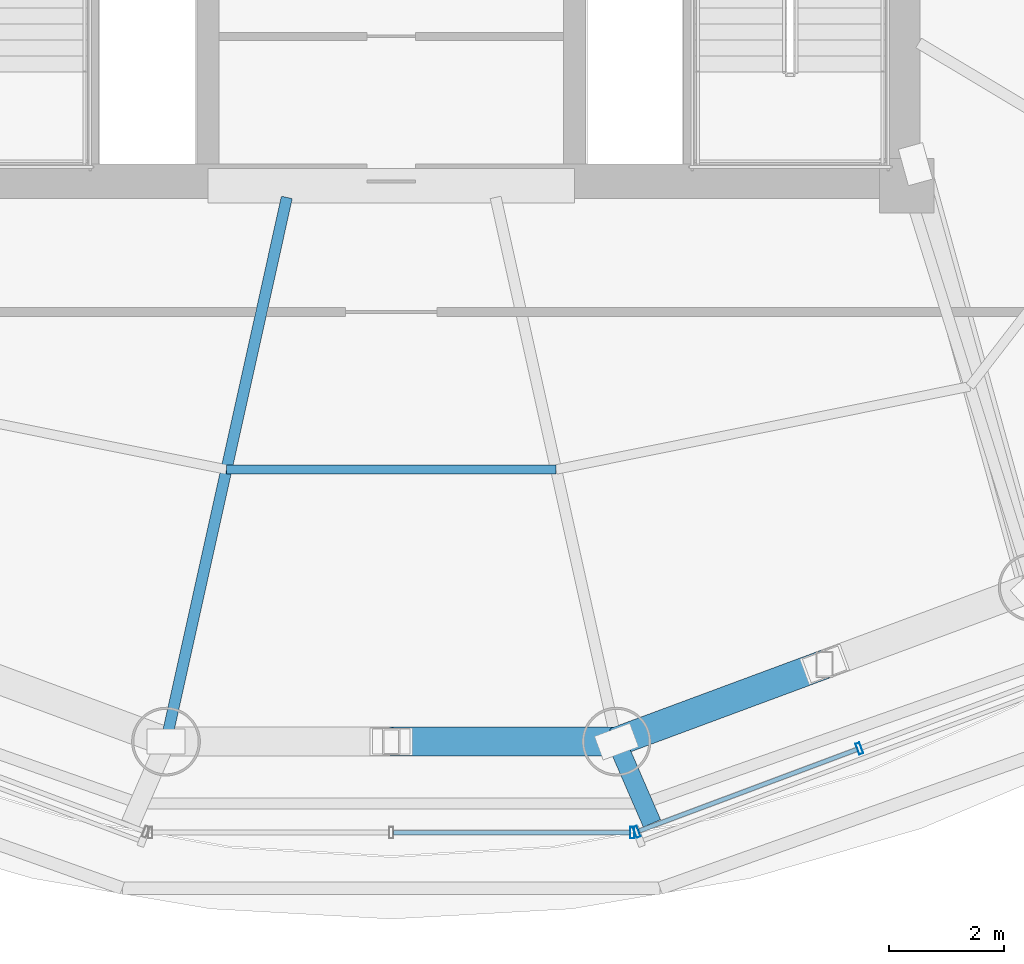
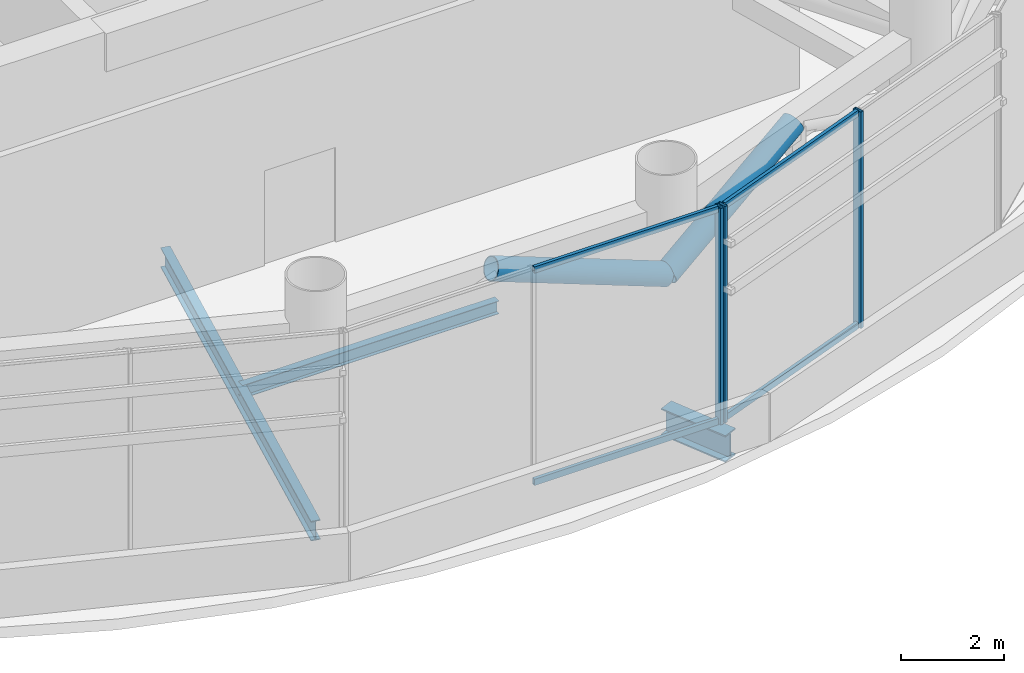
# One storey, part 5 of 25: 9 members, 3 beams, 2 elements without a shape of their own.
"""IFC4 building model written with IfcOpenShell, lengths in metres."""

from ifc_helpers import new_model, si_unit, direction, frame, origin, origin_2d, place, context, subcontext, project, spatial, hollow_rectangle, hollow_circle, i_section, extrude, source, transform, mapped, material, material_profile, profile_set, type_object, element, aggregate, save


model = new_model("IFC4")

# Units and contexts
model_context = context("Model", 3, precision=1e-05, world=origin(), true_north=direction((-0.2419218956, 0.970295726276)))
body_context = subcontext(model_context, "Body", "Model", "MODEL_VIEW")
ifc_project = project(units=[si_unit("LENGTHUNIT", "METRE"), si_unit("AREAUNIT", "SQUARE_METRE"), si_unit("VOLUMEUNIT", "CUBIC_METRE"), si_unit("PLANEANGLEUNIT", "RADIAN"), si_unit("MASSUNIT", "GRAM", prefix="KILO")], contexts=[model_context])

# Site, building, storey
site_placement = place(None, origin())
site = spatial("IfcSite", under=ifc_project, at=site_placement, CompositionType="ELEMENT")
building_placement = place(site_placement, origin())
building = spatial("IfcBuilding", under=site, at=building_placement, Name="Cobrevalo Terracotta Tower", CompositionType="ELEMENT")
storey_placement = place(building_placement, frame((0.0, 0.0, 185.800048828125)))
storey = spatial("IfcBuildingStorey", under=building, at=storey_placement, Name="L49", CompositionType="ELEMENT", Elevation=185.800048828125)

# Beams
ifc_material_1 = material(Name="Steel S355", Category="steel")
ifc_material_profile_1 = material_profile(ifc_material_1, i_section(OverallWidth=0.194091796875, OverallDepth=0.468994140625, WebThickness=0.011474609375, FlangeThickness=0.0205078125, at=origin_2d()), Name="W 460x106")
ifc_profile_set_1 = profile_set([ifc_material_profile_1], Name="Steel S355")
beam_type_1 = type_object("IfcBeamType", Name="Structural Beam W 460x106 (Steel S355)", PredefinedType="BEAM", material=ifc_profile_set_1)
beam_1_placement = place(storey_placement, frame((34.06884765625, 9.096923828125, -0.6845703125), z_axis=(0.216779011165, 0.976220702668, 0.0), x_axis=(-0.976220702668, 0.216779011165, 0.0)))
element("IfcBeam", 1, at=beam_1_placement, inside=storey, type_object=beam_type_1, Name="L49 radial floor girder 12", PredefinedType="BEAM", context=body_context, shape_type="SweptSolid", body=[
    extrude(i_section(OverallWidth=0.194091796875, OverallDepth=0.468994140625, WebThickness=0.011474609375, FlangeThickness=0.0205078125, at=origin_2d()), origin(), (0.0, 0.0, 1.0), 9.7294921875),
])
ifc_material_profile_2 = material_profile(ifc_material_1, i_section(OverallWidth=0.3291015625, OverallDepth=0.635009765625, WebThickness=0.017822265625, FlangeThickness=0.031005859375, at=origin_2d()), Name="W 610x241")
ifc_profile_set_2 = profile_set([ifc_material_profile_2], Name="Steel S355")
beam_type_2 = type_object("IfcBeamType", Name="Structural Beam W 610x241 (Steel S355)", PredefinedType="BEAM", material=ifc_profile_set_2)
beam_2_placement = place(storey_placement, frame((42.550537109375, 7.66943359375, -0.767578125), z_axis=(-0.398043294493, 0.91736663102, 0.0), x_axis=(-0.91736663102, -0.398043294493, 0.0)))
element("IfcBeam", 2, at=beam_2_placement, inside=storey, type_object=beam_type_2, Name="L49 setback step-link girder 13", PredefinedType="BEAM", context=body_context, shape_type="SweptSolid", body=[
    extrude(i_section(OverallWidth=0.3291015625, OverallDepth=0.635009765625, WebThickness=0.017822265625, FlangeThickness=0.031005859375, at=origin_2d()), origin(), (0.0, 0.0, 1.0), 1.55615234375),
])
ifc_material_profile_3 = material_profile(ifc_material_1, i_section(OverallWidth=0.1650390625, OverallDepth=0.31005859375, WebThickness=0.005859375, FlangeThickness=0.009765625, at=origin_2d()), Name="W 310x38.7")
ifc_profile_set_3 = profile_set([ifc_material_profile_3], Name="Steel S355")
beam_type_3 = type_object("IfcBeamType", Name="Structural Joist W 310x38.7 (Steel S355)", PredefinedType="JOIST", material=ifc_profile_set_3)
beam_3_placement = place(storey_placement, frame((35.12353515625, 13.845947265625, -0.60498046875), z_axis=(1.0, 0.0, 0.0), x_axis=(0.0, 1.0, 0.0)))
element("IfcBeam", 3, at=beam_3_placement, inside=storey, type_object=beam_type_3, Name="L49 circumferential secondary floor joist 12", PredefinedType="JOIST", context=body_context, shape_type="SweptSolid", body=[
    extrude(i_section(OverallWidth=0.1650390625, OverallDepth=0.31005859375, WebThickness=0.005859375, FlangeThickness=0.009765625, at=origin_2d()), origin(), (0.0, 0.0, 1.0), 5.7529296875),
])

# Members
ifc_material_profile_4 = material_profile(ifc_material_1, hollow_circle(Radius=0.25390625, WallThickness=0.02001953125, at=origin_2d()), Name="CHS 508x20")
ifc_profile_set_4 = profile_set([ifc_material_profile_4], Name="Steel S355")
member_type_1 = type_object("IfcMemberType", Name="Steel Brace CHS 508x20 (Steel S355)", PredefinedType="BRACE", material=ifc_profile_set_4)
shared_shape_1 = source(origin(), body_context, "Body", "SweptSolid", [
    extrude(hollow_circle(Radius=0.25390625, WallThickness=0.02001953125, at=origin_2d()), origin(), (0.0, 0.0, 1.0), 4.15576171875),
])
member_1_placement = place(storey_placement, frame((41.93115234375, 9.096923828125, 2.64990234375), z_axis=(0.873907532871, 0.32421992968, 0.362169934132), x_axis=(-0.347833629596, 0.937556273576, 0.0)))
element("IfcMember", 4, at=member_1_placement, inside=storey, type_object=member_type_1, Name="L49 belt truss diagonal brace 13-D1", PredefinedType="BRACE", context=body_context, shape_type="MappedRepresentation", body=[
    mapped(shared_shape_1, transform((0.0, 0.0, 0.0), scale=1.0)),
])
shared_shape_2 = source(origin(), body_context, "Body", "SweptSolid", [
    extrude(hollow_circle(Radius=0.25390625, WallThickness=0.02001953125, at=origin_2d()), origin(), (0.0, 0.0, 1.0), 4.20947265625),
])
member_2_placement = place(storey_placement, frame((41.93115234375, 9.096923828125, 2.64990234375), z_axis=(-0.933890131622, 0.0, 0.35756009573), x_axis=(0.0, -1.0, 0.0)))
element("IfcMember", 5, at=member_2_placement, inside=storey, type_object=member_type_1, Name="L49 belt truss diagonal brace 12-D2", PredefinedType="BRACE", context=body_context, shape_type="MappedRepresentation", body=[
    mapped(shared_shape_2, transform((0.0, 0.0, 0.0), scale=1.0)),
])

# Curtain wall, member
ifc_material_2 = material(Name="Anodized aluminium", Category="aluminium")
curtain_wall_type = type_object("IfcCurtainWallType", Name="Belt-truss plant acoustic weather-louvre curtain wall CW-LV", PredefinedType="NOTDEFINED", material=ifc_material_2)
curtain_wall_1_placement = place(storey_placement, origin())
curtain_wall_1 = element("IfcCurtainWall", 6, at=curtain_wall_1_placement, inside=storey, type_object=curtain_wall_type, Name="L49 curtain wall CW-LV-L49-S12", PredefinedType="NOTDEFINED")
ifc_material_profile_5 = material_profile(ifc_material_2, hollow_rectangle(XDim=0.074951171875, YDim=0.199951171875, WallThickness=0.0048828125, at=origin_2d()), Name="CWM 75x200")
ifc_profile_set_5 = profile_set([ifc_material_profile_5], Name="Anodized aluminium")
member_type_2 = type_object("IfcMemberType", Name="Lower/mid tower unitised mullion 75x200", PredefinedType="MULLION", material=ifc_profile_set_5)
shared_shape_3 = source(origin(), body_context, "Body", "SweptSolid", [
    extrude(hollow_rectangle(XDim=0.074951171875, YDim=0.199951171875, WallThickness=0.0048828125, at=origin_2d()), origin(), (0.0, 0.0, 1.0), 5.135009765625),
])
member_3_placement = place(storey_placement, frame((42.20703125, 7.508056640625, 0.0), z_axis=(0.0, 0.0, 1.0), x_axis=(1.0, 0.0, 0.0)))
member_3 = element("IfcMember", 7, at=member_3_placement, type_object=member_type_2, Name="CW-LV-L49-S12 vertical mullion 03", PredefinedType="MULLION", context=body_context, shape_type="MappedRepresentation", body=[
    mapped(shared_shape_3, transform((0.0, 0.0, 0.0), scale=1.0)),
])

# Curtain wall, members
curtain_wall_2_placement = place(storey_placement, origin())
curtain_wall_2 = element("IfcCurtainWall", 8, at=curtain_wall_2_placement, inside=storey, type_object=curtain_wall_type, Name="L49 curtain wall CW-LV-L49-S13", PredefinedType="NOTDEFINED")
member_4_placement = place(storey_placement, frame((42.28466796875, 7.52197265625, 0.0), z_axis=(0.0, 0.0, 1.0), x_axis=(0.936556004584, 0.350517974259, 0.0)))
member_4 = element("IfcMember", 9, at=member_4_placement, type_object=member_type_2, Name="CW-LV-L49-S13 vertical mullion 01", PredefinedType="MULLION", context=body_context, shape_type="MappedRepresentation", body=[
    mapped(shared_shape_3, transform((0.0, 0.0, 0.0), scale=1.0)),
])
member_5_placement = place(storey_placement, frame((46.1708984375, 8.9765625, 0.0), z_axis=(0.0, 0.0, 1.0), x_axis=(0.936556004584, 0.350517974259, 0.0)))
member_5 = element("IfcMember", 10, at=member_5_placement, type_object=member_type_2, Name="CW-LV-L49-S13 vertical mullion 02", PredefinedType="MULLION", context=body_context, shape_type="MappedRepresentation", body=[
    mapped(shared_shape_3, transform((0.0, 0.0, 0.0), scale=1.0)),
])
ifc_material_profile_6 = material_profile(ifc_material_2, hollow_rectangle(XDim=0.074951171875, YDim=0.14990234375, WallThickness=0.00439453125, at=origin_2d()), Name="CWT 75x150")
ifc_profile_set_6 = profile_set([ifc_material_profile_6], Name="Anodized aluminium")
member_type_3 = type_object("IfcMemberType", Name="Tower unitised aluminium transom 75x150", PredefinedType="USERDEFINED", material=ifc_profile_set_6)
shared_shape_4 = source(origin(), body_context, "Body", "SweptSolid", [
    extrude(hollow_rectangle(XDim=0.074951171875, YDim=0.14990234375, WallThickness=0.00439453125, at=origin_2d()), origin(), (0.0, 0.0, 1.0), 4.06982421875),
])
member_6_placement = place(storey_placement, frame((42.322021484375, 7.535888671875, 0.050048828125), z_axis=(0.936555791772, 0.350518542873, 0.0), x_axis=(-0.350518542873, 0.936555791772, 0.0)))
member_6 = element("IfcMember", 11, at=member_6_placement, type_object=member_type_3, Name="CW-LV-L49-S13 transom B01-T1", ObjectType="TRANSOM", PredefinedType="USERDEFINED", context=body_context, shape_type="MappedRepresentation", body=[
    mapped(shared_shape_4, transform((0.0, 0.0, 0.0), scale=1.0)),
])
member_7_placement = place(storey_placement, frame((42.322021484375, 7.535888671875, 5.0849609375), z_axis=(0.936555791772, 0.350518542873, 0.0), x_axis=(-0.350518542873, 0.936555791772, 0.0)))
member_7 = element("IfcMember", 12, at=member_7_placement, type_object=member_type_3, Name="CW-LV-L49-S13 transom B01-T2", ObjectType="TRANSOM", PredefinedType="USERDEFINED", context=body_context, shape_type="MappedRepresentation", body=[
    mapped(shared_shape_4, transform((0.0, 0.0, 0.0), scale=1.0)),
])
aggregate(curtain_wall_2, [member_4, member_5, member_6, member_7])

# Member
shared_shape_5 = source(origin(), body_context, "Body", "SweptSolid", [
    extrude(hollow_rectangle(XDim=0.074951171875, YDim=0.14990234375, WallThickness=0.00439453125, at=origin_2d()), origin(), (0.0, 0.0, 1.0), 4.127197265625),
])
member_8_placement = place(storey_placement, frame((38.0400390625, 7.508056640625, 0.050048828125), z_axis=(1.0, 0.0, 0.0), x_axis=(0.0, 1.0, 0.0)))
member_8 = element("IfcMember", 13, at=member_8_placement, type_object=member_type_3, Name="CW-LV-L49-S12 transom B02-T1", ObjectType="TRANSOM", PredefinedType="USERDEFINED", context=body_context, shape_type="MappedRepresentation", body=[
    mapped(shared_shape_5, transform((0.0, 0.0, 0.0), scale=1.0)),
])

member_9_placement = place(storey_placement, frame((38.0400390625, 7.508056640625, 5.0849609375), z_axis=(1.0, 0.0, 0.0), x_axis=(0.0, 1.0, 0.0)))
member_9 = element("IfcMember", 14, at=member_9_placement, type_object=member_type_3, Name="CW-LV-L49-S12 transom B02-T2", ObjectType="TRANSOM", PredefinedType="USERDEFINED", context=body_context, shape_type="MappedRepresentation", body=[
    mapped(shared_shape_5, transform((0.0, 0.0, 0.0), scale=1.0)),
])

aggregate(curtain_wall_1, [member_3, member_8, member_9])

save(model, "model.ifc")
